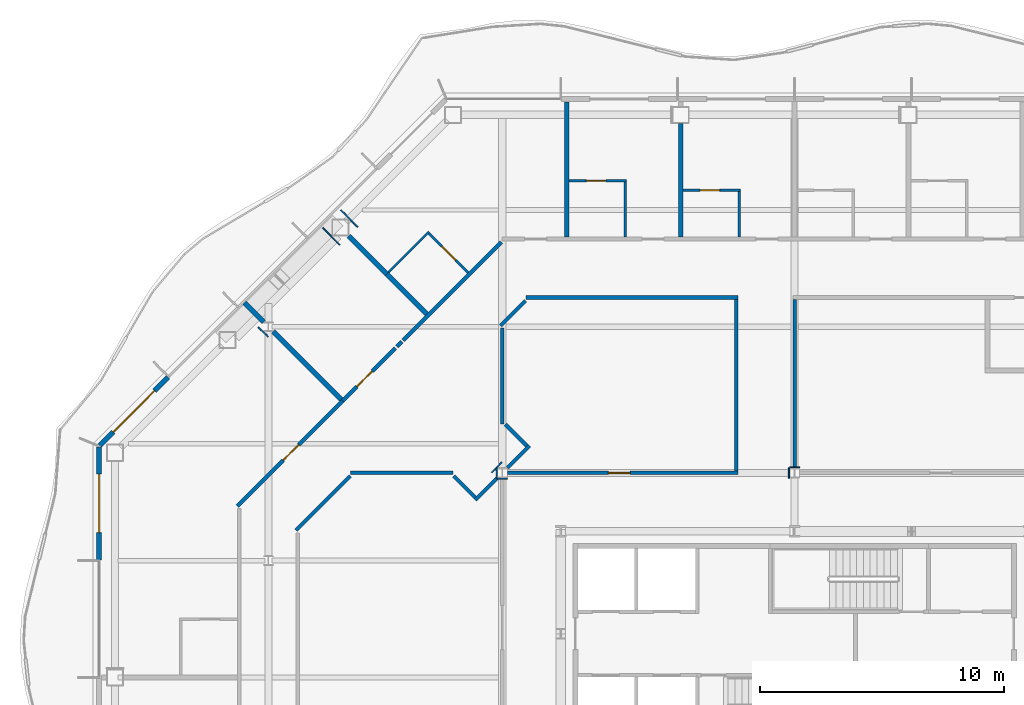
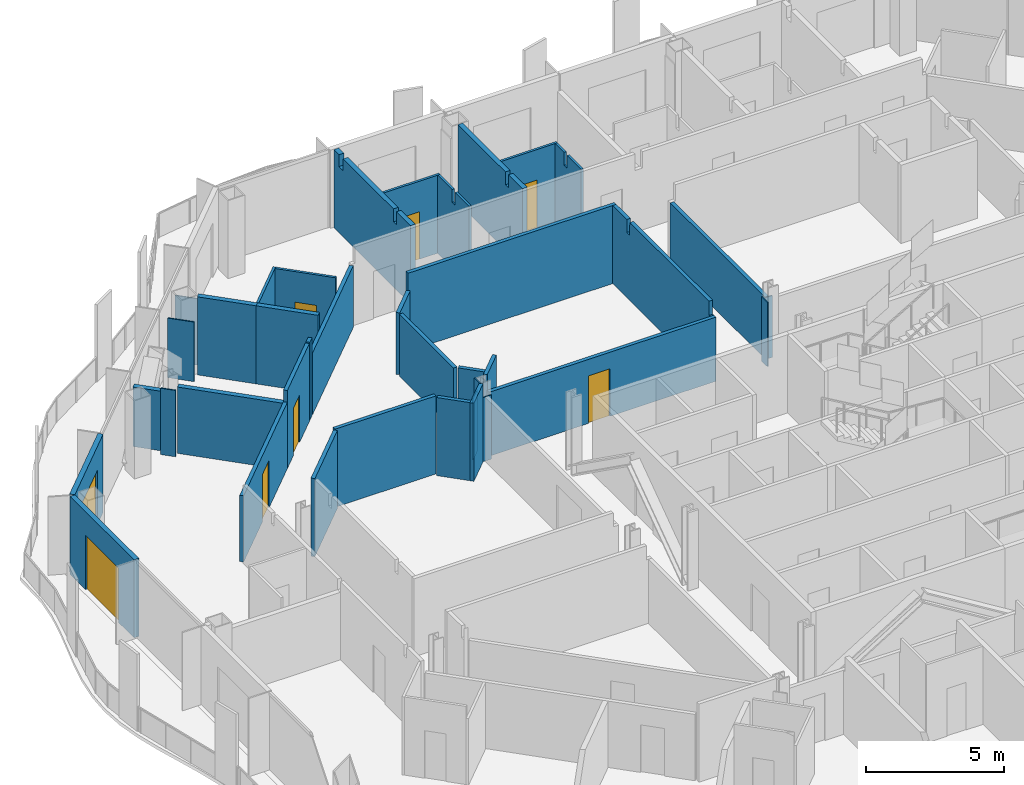
# One storey, part 12 of 21: 38 walls, 8 doors, 8 openings.
"""IFC4 building model written with IfcOpenShell, lengths in metres."""

from ifc_helpers import new_model, si_unit, direction, frame, frame_2d, origin, place, context, subcontext, project, spatial, polyline, rectangle, outline, extrude, material, layer, layer_set, type_object, element, fill, save


model = new_model("IFC4")

# Units and contexts
model_context = context("Model", 3, precision=1e-05, world=origin(), true_north=direction((0.0, 1.0)))
body_context = subcontext(model_context, "Body", "Model", "MODEL_VIEW")
ifc_project = project(units=[si_unit("LENGTHUNIT", "METRE"), si_unit("AREAUNIT", "SQUARE_METRE"), si_unit("VOLUMEUNIT", "CUBIC_METRE"), si_unit("PLANEANGLEUNIT", "RADIAN"), si_unit("MASSUNIT", "GRAM", prefix="KILO")], contexts=[model_context])

# Site, building, storey
site_placement = place(None, origin())
site = spatial("IfcSite", under=ifc_project, at=site_placement, CompositionType="ELEMENT")
building_placement = place(site_placement, origin())
building = spatial("IfcBuilding", under=site, at=building_placement, Name="Cairn Pilgrim Tower", CompositionType="ELEMENT")
storey_placement = place(building_placement, frame((0.0, 0.0, 136.199951171875)))
storey = spatial("IfcBuildingStorey", under=building, at=storey_placement, Name="L33", CompositionType="ELEMENT", Elevation=136.199951171875)

# Wall, opening, door
ifc_material_1 = material(Name="Bronze anodised aluminium insulated sandwich panel with mineral wool fill", Category="aluminium")
ifc_layer_1 = layer(ifc_material_1, 0.199951171875)
ifc_layer_set_1 = layer_set([ifc_layer_1], Name="BRONZE INFILL FRAME WALL 200")
wall_type_1 = type_object("IfcWallType", Name="BRONZE INFILL FRAME WALL 200", PredefinedType="NOTDEFINED", material=ifc_layer_set_1)
wall_1_placement = place(storey_placement, frame((-18.5205078125, 17.1259765625, 0.0), z_axis=(0.0, 0.0, 1.0), x_axis=(-0.707106781187, -0.707106781187, 0.0)))
wall_1 = element("IfcWall", 1, at=wall_1_placement, inside=storey, type_object=wall_type_1, Name="Bronze infill frame wall IW-NW5", PredefinedType="NOTDEFINED", context=body_context, shape_type="SweptSolid", body=[
    extrude(rectangle(XDim=3.961669921875, YDim=0.199951171875, at=frame_2d((1.98095703125, 0.0))), origin(), (0.0, 0.0, 1.0), 3.449951171875),
])
opening_1_placement = place(wall_1_placement, frame((0.785888671875, 0.0, 0.0)))
opening_1 = element("IfcOpeningElement", 2, at=opening_1_placement, cuts=wall_1, Name="Opening 3317B", PredefinedType="OPENING", context=body_context, shape_type="SweptSolid", body=[
    extrude(rectangle(XDim=2.39990234375, YDim=2.39990234375, at=frame_2d((1.199951171875, 1.199951171875))), frame((0.0, 0.10986328125, 0.0), z_axis=(0.0, -1.0, 0.0), x_axis=(1.0, 0.0, 0.0)), (0.0, 0.0, 1.0), 0.219970703125),
])
ifc_material_2 = material(Name="Bronze anodised aluminium frame with tinted low-E glass", Category="aluminium")
door_type_1 = type_object("IfcDoorType", Name="BALCONY SLIDING DOOR 2400x2400", OperationType="DOUBLE_DOOR_SLIDING", PredefinedType="DOOR", material=ifc_material_2)
door_1_placement = place(opening_1_placement, origin())
door_1 = element("IfcDoor", 3, at=door_1_placement, inside=storey, type_object=door_type_1, Name="Balcony sliding door 3317B", OperationType="SINGLE_SWING_LEFT", OverallHeight=2.39990234375, OverallWidth=2.39990234375, PredefinedType="DOOR", context=body_context, shape_type="SweptSolid", body=[
    extrude(rectangle(XDim=2.39990234375, YDim=2.39990234375, at=frame_2d((1.199951171875, 1.199951171875))), frame((0.0, 0.02490234375, 0.0), z_axis=(0.0, -1.0, 0.0), x_axis=(1.0, 0.0, 0.0)), (0.0, 0.0, 1.0), 0.050048828125),
])
fill(opening_1, door_1)

wall_2_placement = place(storey_placement, frame((-21.35009765625, 14.25634765625, 0.0), z_axis=(0.0, 0.0, 1.0), x_axis=(0.0, -1.0, 0.0)))
wall_2 = element("IfcWall", 4, at=wall_2_placement, inside=storey, type_object=wall_type_1, Name="Bronze infill frame wall IW-W1", PredefinedType="NOTDEFINED", context=body_context, shape_type="SweptSolid", body=[
    extrude(rectangle(XDim=4.62646484375, YDim=0.199951171875, at=frame_2d((2.313232421875, 0.0))), origin(), (0.0, 0.0, 1.0), 3.449951171875),
])
opening_2_placement = place(wall_2_placement, frame((1.1083984375, 0.0, 0.0)))
opening_2 = element("IfcOpeningElement", 5, at=opening_2_placement, cuts=wall_2, Name="Opening 3317B2", PredefinedType="OPENING", context=body_context, shape_type="SweptSolid", body=[
    extrude(rectangle(XDim=2.39990234375, YDim=2.39990234375, at=frame_2d((1.199951171875, 1.199951171875))), frame((0.0, 0.10986328125, 0.0), z_axis=(0.0, -1.0, 0.0), x_axis=(1.0, 0.0, 0.0)), (0.0, 0.0, 1.0), 0.219970703125),
])
door_2_placement = place(opening_2_placement, origin())
door_2 = element("IfcDoor", 6, at=door_2_placement, inside=storey, type_object=door_type_1, Name="Balcony sliding door 3317B2", OperationType="SINGLE_SWING_LEFT", OverallHeight=2.39990234375, OverallWidth=2.39990234375, PredefinedType="DOOR", context=body_context, shape_type="SweptSolid", body=[
    extrude(rectangle(XDim=2.39990234375, YDim=2.39990234375, at=frame_2d((1.199951171875, 1.199951171875))), frame((0.0, 0.02490234375, 0.0), z_axis=(0.0, -1.0, 0.0), x_axis=(1.0, 0.0, 0.0)), (0.0, 0.0, 1.0), 0.050048828125),
])
fill(opening_2, door_2)

# Wall
ifc_material_3 = material(Name="Gypsum partition")
ifc_layer_2 = layer(ifc_material_3, 0.10009765625)
ifc_layer_set_2 = layer_set([ifc_layer_2], Name="PARTITION 100 DRYWALL")
wall_type_2 = type_object("IfcWallType", Name="PARTITION 100 DRYWALL", PredefinedType="PARTITIONING", material=ifc_layer_set_2)
wall_3_placement = place(storey_placement, frame((-9.47119140625, 21.437744140625, 0.0), z_axis=(0.0, 0.0, 1.0), x_axis=(0.707054828152, 0.707158730404, 0.0)))
element("IfcWall", 7, at=wall_3_placement, inside=storey, type_object=wall_type_2, Name="PARTITION W112", PredefinedType="PARTITIONING", context=body_context, shape_type="SweptSolid", body=[
    extrude(rectangle(XDim=2.349609375, YDim=0.10009765625, at=frame_2d((1.1748046875, 0.0))), origin(), (0.0, 0.0, 1.0), 3.449951171875),
])

# Wall, opening, door
wall_4_placement = place(storey_placement, frame((-6.200927734375, 21.419921875, 0.0), z_axis=(0.0, 0.0, 1.0), x_axis=(-0.707106781187, 0.707106781187, 0.0)))
wall_4 = element("IfcWall", 8, at=wall_4_placement, inside=storey, type_object=wall_type_2, Name="PARTITION W113", PredefinedType="PARTITIONING", context=body_context, shape_type="SweptSolid", body=[
    extrude(rectangle(XDim=2.27490234375, YDim=0.10009765625, at=frame_2d((1.137451171875, 0.0))), origin(), (0.0, 0.0, 1.0), 3.449951171875),
])
opening_3_placement = place(wall_4_placement, frame((0.72509765625, 0.0, 0.0)))
opening_3 = element("IfcOpeningElement", 9, at=opening_3_placement, cuts=wall_4, Name="Opening 3315A", PredefinedType="OPENING", context=body_context, shape_type="SweptSolid", body=[
    extrude(rectangle(XDim=0.800048828125, YDim=2.10009765625, at=frame_2d((0.39990234375, 1.050048828125))), frame((0.0, 0.06005859375, 0.0), z_axis=(0.0, -1.0, 0.0), x_axis=(1.0, 0.0, 0.0)), (0.0, 0.0, 1.0), 0.1201171875),
])
ifc_material_4 = material(Name="Timber door leaf", Category="wood")
door_type_2 = type_object("IfcDoorType", Name="WC DOOR 800x2100", OperationType="NOTDEFINED", PredefinedType="DOOR", material=ifc_material_4)
door_3_placement = place(opening_3_placement, frame((0.800048828125, 0.0, 0.0), z_axis=(0.0, 0.0, 1.0), x_axis=(-1.0, 0.0, 0.0)))
door_3 = element("IfcDoor", 10, at=door_3_placement, inside=storey, type_object=door_type_2, Name="DOOR 3315A", OperationType="SINGLE_SWING_RIGHT", OverallHeight=2.10009765625, OverallWidth=0.800048828125, PredefinedType="DOOR", context=body_context, shape_type="SweptSolid", body=[
    extrude(rectangle(XDim=0.800048828125, YDim=2.10009765625, at=frame_2d((0.39990234375, 1.050048828125))), frame((0.0, 0.02490234375, 0.0), z_axis=(0.0, -1.0, 0.0), x_axis=(1.0, 0.0, 0.0)), (0.0, 0.0, 1.0), 0.050048828125),
])
fill(opening_3, door_3)

# Walls
wall_5_placement = place(storey_placement, frame((0.248046875, 22.875, 0.0), z_axis=(0.0, 0.0, 1.0), x_axis=(0.0, 1.0, 0.0)))
element("IfcWall", 11, at=wall_5_placement, inside=storey, type_object=wall_type_2, Name="PARTITION W117", PredefinedType="PARTITIONING", context=body_context, shape_type="SweptSolid", body=[
    extrude(outline(polyline([(0.0, 0.0), (2.27490234375, 0.0), (2.27490234375, 3.449951171875), (1.22998046875, 3.449951171875), (1.22802734375, 2.880126953125), (1.02001953125, 2.880126953125), (1.01806640625, 3.449951171875), (0.0, 3.449951171875), (0.0, 0.0)])), frame((0.0, 0.050048828125, 0.0), z_axis=(0.0, -1.0, 0.0), x_axis=(1.0, 0.0, 0.0)), (0.0, 0.0, 1.0), 0.10009765625),
])
wall_6_placement = place(storey_placement, frame((4.924072265625, 22.875, 0.0), z_axis=(0.0, 0.0, 1.0), x_axis=(0.0, 1.0, 0.0)))
element("IfcWall", 12, at=wall_6_placement, inside=storey, type_object=wall_type_2, Name="PARTITION W119", PredefinedType="PARTITIONING", context=body_context, shape_type="SweptSolid", body=[
    extrude(outline(polyline([(0.0, 0.0), (1.875, 0.0), (1.875, 3.449951171875), (1.22998046875, 3.449951171875), (1.22802734375, 2.880126953125), (1.02001953125, 2.880126953125), (1.01806640625, 3.449951171875), (0.0, 3.449951171875), (0.0, 0.0)])), frame((0.0, 0.050048828125, 0.0), z_axis=(0.0, -1.0, 0.0), x_axis=(1.0, 0.0, 0.0)), (0.0, 0.0, 1.0), 0.10009765625),
])

# Wall, opening, door
wall_7_placement = place(storey_placement, frame((2.6240234375, 24.800048828125, 0.0), z_axis=(0.0, 0.0, 1.0), x_axis=(1.0, 0.0, 0.0)))
wall_7 = element("IfcWall", 13, at=wall_7_placement, inside=storey, type_object=wall_type_2, Name="PARTITION W126", PredefinedType="PARTITIONING", context=body_context, shape_type="SweptSolid", body=[
    extrude(rectangle(XDim=2.35009765625, YDim=0.10009765625, at=frame_2d((1.175048828125, 0.0))), origin(), (0.0, 0.0, 1.0), 3.449951171875),
])
opening_4_placement = place(wall_7_placement, frame((0.699951171875, 0.0, 0.0)))
opening_4 = element("IfcOpeningElement", 14, at=opening_4_placement, cuts=wall_7, Name="Opening 3313A", PredefinedType="OPENING", context=body_context, shape_type="SweptSolid", body=[
    extrude(rectangle(XDim=0.800048828125, YDim=2.10009765625, at=frame_2d((0.39990234375, 1.050048828125))), frame((0.0, 0.06005859375, 0.0), z_axis=(0.0, -1.0, 0.0), x_axis=(1.0, 0.0, 0.0)), (0.0, 0.0, 1.0), 0.1201171875),
])
door_4_placement = place(opening_4_placement, origin())
door_4 = element("IfcDoor", 15, at=door_4_placement, inside=storey, type_object=door_type_2, Name="DOOR 3313A", OperationType="SINGLE_SWING_RIGHT", OverallHeight=2.10009765625, OverallWidth=0.800048828125, PredefinedType="DOOR", context=body_context, shape_type="SweptSolid", body=[
    extrude(rectangle(XDim=0.800048828125, YDim=2.10009765625, at=frame_2d((0.39990234375, 1.050048828125))), frame((0.0, 0.02490234375, 0.0), z_axis=(0.0, -1.0, 0.0), x_axis=(1.0, 0.0, 0.0)), (0.0, 0.0, 1.0), 0.050048828125),
])
fill(opening_4, door_4)

wall_8_placement = place(storey_placement, frame((-2.052001953125, 25.199951171875, 0.0), z_axis=(0.0, 0.0, 1.0), x_axis=(1.0, 0.0, 0.0)))
wall_8 = element("IfcWall", 16, at=wall_8_placement, inside=storey, type_object=wall_type_2, Name="PARTITION W128", PredefinedType="PARTITIONING", context=body_context, shape_type="SweptSolid", body=[
    extrude(rectangle(XDim=2.35009765625, YDim=0.10009765625, at=frame_2d((1.175048828125, 0.0))), origin(), (0.0, 0.0, 1.0), 3.449951171875),
])
opening_5_placement = place(wall_8_placement, frame((0.699951171875, 0.0, 0.0)))
opening_5 = element("IfcOpeningElement", 17, at=opening_5_placement, cuts=wall_8, Name="Opening 3314A", PredefinedType="OPENING", context=body_context, shape_type="SweptSolid", body=[
    extrude(rectangle(XDim=0.800048828125, YDim=2.10009765625, at=frame_2d((0.39990234375, 1.050048828125))), frame((0.0, 0.06005859375, 0.0), z_axis=(0.0, -1.0, 0.0), x_axis=(1.0, 0.0, 0.0)), (0.0, 0.0, 1.0), 0.1201171875),
])
door_5_placement = place(opening_5_placement, origin())
door_5 = element("IfcDoor", 18, at=door_5_placement, inside=storey, type_object=door_type_2, Name="DOOR 3314A", OperationType="SINGLE_SWING_RIGHT", OverallHeight=2.10009765625, OverallWidth=0.800048828125, PredefinedType="DOOR", context=body_context, shape_type="SweptSolid", body=[
    extrude(rectangle(XDim=0.800048828125, YDim=2.10009765625, at=frame_2d((0.39990234375, 1.050048828125))), frame((0.0, 0.02490234375, 0.0), z_axis=(0.0, -1.0, 0.0), x_axis=(1.0, 0.0, 0.0)), (0.0, 0.0, 1.0), 0.050048828125),
])
fill(opening_5, door_5)

# Wall
ifc_layer_3 = layer(ifc_material_3, 0.14990234375)
ifc_layer_set_3 = layer_set([ifc_layer_3], Name="PARTITION 150 DRYWALL EI 60")
wall_type_3 = type_object("IfcWallType", Name="PARTITION 150 DRYWALL EI 60", PredefinedType="PARTITIONING", material=ifc_layer_set_3)
wall_9_placement = place(storey_placement, frame((-13.27490234375, 10.845947265625, 0.0), z_axis=(0.0, 0.0, 1.0), x_axis=(0.707068002674, 0.707145557572, 0.0)))
element("IfcWall", 19, at=wall_9_placement, inside=storey, type_object=wall_type_3, Name="PARTITION W069", PredefinedType="PARTITIONING", context=body_context, shape_type="SweptSolid", body=[
    extrude(rectangle(XDim=3.14794921875, YDim=0.14990234375, at=frame_2d((1.573974609375, 0.0))), origin(), (0.0, 0.0, 1.0), 3.449951171875),
])

# Wall, opening, door
wall_10_placement = place(storey_placement, frame((-15.675048828125, 11.840087890625, 0.0), z_axis=(0.0, 0.0, 1.0), x_axis=(0.707206735496, 0.707006812746, 0.0)))
wall_10 = element("IfcWall", 20, at=wall_10_placement, inside=storey, type_object=wall_type_3, Name="PARTITION W071", PredefinedType="PARTITIONING", context=body_context, shape_type="SweptSolid", body=[
    extrude(rectangle(XDim=6.10595703125, YDim=0.14990234375, at=frame_2d((3.052978515625, 0.0))), origin(), (0.0, 0.0, 1.0), 2.929931640625),
])
opening_6_placement = place(wall_10_placement, frame((2.656005859375, 0.0, 0.0)))
opening_6 = element("IfcOpeningElement", 21, at=opening_6_placement, cuts=wall_10, Name="Opening 3317", PredefinedType="OPENING", context=body_context, shape_type="SweptSolid", body=[
    extrude(rectangle(XDim=0.89990234375, YDim=2.10009765625, at=frame_2d((0.449951171875, 1.050048828125))), frame((0.0, 0.0849609375, 0.0), z_axis=(0.0, -1.0, 0.0), x_axis=(1.0, 0.0, 0.0)), (0.0, 0.0, 1.0), 0.169921875),
])
door_type_3 = type_object("IfcDoorType", Name="ROOM DOOR 900x2100 FD30S", OperationType="NOTDEFINED", PredefinedType="DOOR", material=ifc_material_4)
door_6_placement = place(opening_6_placement, origin())
door_6 = element("IfcDoor", 22, at=door_6_placement, inside=storey, type_object=door_type_3, Name="DOOR 3317", OperationType="SINGLE_SWING_RIGHT", OverallHeight=2.10009765625, OverallWidth=0.89990234375, PredefinedType="DOOR", context=body_context, shape_type="SweptSolid", body=[
    extrude(rectangle(XDim=0.89990234375, YDim=2.10009765625, at=frame_2d((0.449951171875, 1.050048828125))), frame((0.0, 0.02490234375, 0.0), z_axis=(0.0, -1.0, 0.0), x_axis=(1.0, 0.0, 0.0)), (0.0, 0.0, 1.0), 0.050048828125),
])
fill(opening_6, door_6)

# Walls
wall_11_placement = place(storey_placement, frame((-5.9140625, 12.0859375, 0.0), z_axis=(0.0, 0.0, 1.0), x_axis=(0.707106781187, 0.707106781187, 0.0)))
element("IfcWall", 23, at=wall_11_placement, inside=storey, type_object=wall_type_3, Name="PARTITION W073", PredefinedType="PARTITIONING", context=body_context, shape_type="SweptSolid", body=[
    extrude(rectangle(XDim=1.280517578125, YDim=0.14990234375, at=frame_2d((0.64013671875, 0.0))), origin(), (0.0, 0.0, 1.0), 3.449951171875),
])
wall_12_placement = place(storey_placement, frame((-5.9140625, 12.192138671875, 0.0), z_axis=(0.0, 0.0, 1.0), x_axis=(-0.706812296552, 0.70740114323, 0.0)))
element("IfcWall", 24, at=wall_12_placement, inside=storey, type_object=wall_type_3, Name="PARTITION W075", PredefinedType="PARTITIONING", context=body_context, shape_type="SweptSolid", body=[
    extrude(rectangle(XDim=1.243896484375, YDim=0.14990234375, at=frame_2d((0.6220703125, 0.0))), origin(), (0.0, 0.0, 1.0), 3.449951171875),
])
wall_13_placement = place(storey_placement, frame((-11.027099609375, 13.199951171875, 0.0), z_axis=(0.0, 0.0, 1.0), x_axis=(1.0, 0.0, 0.0)))
element("IfcWall", 25, at=wall_13_placement, inside=storey, type_object=wall_type_3, Name="PARTITION W077", PredefinedType="PARTITIONING", context=body_context, shape_type="SweptSolid", body=[
    extrude(rectangle(XDim=4.2119140625, YDim=0.14990234375, at=frame_2d((2.10595703125, 0.0))), origin(), (0.0, 0.0, 1.0), 3.449951171875),
])

# Wall, opening, door
wall_14_placement = place(storey_placement, frame((-4.595458984375, 13.199951171875, 0.0), z_axis=(0.0, 0.0, 1.0), x_axis=(1.0, 0.0, 0.0)))
wall_14 = element("IfcWall", 26, at=wall_14_placement, inside=storey, type_object=wall_type_3, Name="PARTITION W078", PredefinedType="PARTITIONING", context=body_context, shape_type="SweptSolid", body=[
    extrude(rectangle(XDim=9.470458984375, YDim=0.14990234375, at=frame_2d((4.7353515625, 0.0))), origin(), (0.0, 0.0, 1.0), 2.830078125),
])
opening_7_placement = place(wall_14_placement, frame((4.1455078125, 0.0, 0.0)))
opening_7 = element("IfcOpeningElement", 27, at=opening_7_placement, cuts=wall_14, Name="Opening 3328", PredefinedType="OPENING", context=body_context, shape_type="SweptSolid", body=[
    extrude(rectangle(XDim=0.89990234375, YDim=2.10009765625, at=frame_2d((0.449951171875, 1.050048828125))), frame((0.0, 0.0849609375, 0.0), z_axis=(0.0, -1.0, 0.0), x_axis=(1.0, 0.0, 0.0)), (0.0, 0.0, 1.0), 0.169921875),
])
door_type_4 = type_object("IfcDoorType", Name="SERVICE DOOR 900x2100 FD30S", OperationType="NOTDEFINED", PredefinedType="DOOR", material=ifc_material_4)
door_7_placement = place(opening_7_placement, origin())
door_7 = element("IfcDoor", 28, at=door_7_placement, inside=storey, type_object=door_type_4, Name="DOOR 3328", OperationType="SINGLE_SWING_LEFT", OverallHeight=2.10009765625, OverallWidth=0.89990234375, PredefinedType="DOOR", context=body_context, shape_type="SweptSolid", body=[
    extrude(rectangle(XDim=0.89990234375, YDim=2.10009765625, at=frame_2d((0.449951171875, 1.050048828125))), frame((0.0, 0.02490234375, 0.0), z_axis=(0.0, -1.0, 0.0), x_axis=(1.0, 0.0, 0.0)), (0.0, 0.0, 1.0), 0.050048828125),
])
fill(opening_7, door_7)

# Walls
wall_15_placement = place(storey_placement, frame((4.800048828125, 13.27490234375, 0.0), z_axis=(0.0, 0.0, 1.0), x_axis=(0.0, 1.0, 0.0)))
element("IfcWall", 29, at=wall_15_placement, inside=storey, type_object=wall_type_3, Name="PARTITION W081", PredefinedType="PARTITIONING", context=body_context, shape_type="SweptSolid", body=[
    extrude(outline(polyline([(0.0, 0.0), (7.050048828125, 0.0), (7.050048828125, 3.449951171875), (6.030029296875, 3.449951171875), (6.028076171875, 2.880126953125), (5.820068359375, 2.880126953125), (5.818115234375, 3.449951171875), (0.074951171875, 3.449951171875), (0.072998046875, 2.830078125), (0.0, 2.830078125), (0.0, 0.0)])), frame((0.0, 0.074951171875, 0.0), z_axis=(0.0, -1.0, 0.0), x_axis=(1.0, 0.0, 0.0)), (0.0, 0.0, 1.0), 0.14990234375),
])
wall_16_placement = place(storey_placement, frame((-4.591552734375, 13.408447265625, 0.0), z_axis=(0.0, 0.0, 1.0), x_axis=(0.707106781187, 0.707106781187, 0.0)))
element("IfcWall", 30, at=wall_16_placement, inside=storey, type_object=wall_type_3, Name="PARTITION W083", PredefinedType="PARTITIONING", context=body_context, shape_type="SweptSolid", body=[
    extrude(rectangle(XDim=1.281005859375, YDim=0.14990234375, at=frame_2d((0.640625, 0.0))), origin(), (0.0, 0.0, 1.0), 3.449951171875),
])
wall_17_placement = place(storey_placement, frame((7.199951171875, 13.41259765625, 0.0), z_axis=(0.0, 0.0, 1.0), x_axis=(0.0, 1.0, 0.0)))
element("IfcWall", 31, at=wall_17_placement, inside=storey, type_object=wall_type_3, Name="PARTITION W084", PredefinedType="PARTITIONING", context=body_context, shape_type="SweptSolid", body=[
    extrude(rectangle(XDim=6.912353515625, YDim=0.14990234375, at=frame_2d((3.4560546875, 0.0))), origin(), (0.0, 0.0, 1.0), 2.72998046875),
])
wall_18_placement = place(storey_placement, frame((-3.7919921875, 14.31396484375, 0.0), z_axis=(0.0, 0.0, 1.0), x_axis=(-0.707499182195, 0.706714162298, 0.0)))
element("IfcWall", 32, at=wall_18_placement, inside=storey, type_object=wall_type_3, Name="PARTITION W088", PredefinedType="PARTITIONING", context=body_context, shape_type="SweptSolid", body=[
    extrude(rectangle(XDim=1.243896484375, YDim=0.14990234375, at=frame_2d((0.6220703125, 0.0))), origin(), (0.0, 0.0, 1.0), 2.72998046875),
])
wall_19_placement = place(storey_placement, frame((-4.800048828125, 15.215087890625, 0.0), z_axis=(0.0, 0.0, 1.0), x_axis=(0.0, 1.0, 0.0)))
element("IfcWall", 33, at=wall_19_placement, inside=storey, type_object=wall_type_3, Name="PARTITION W092", PredefinedType="PARTITIONING", context=body_context, shape_type="SweptSolid", body=[
    extrude(rectangle(XDim=3.9248046875, YDim=0.14990234375, at=frame_2d((1.96240234375, 0.0))), origin(), (0.0, 0.0, 1.0), 2.72998046875),
])

# Wall, opening, door
wall_20_placement = place(storey_placement, frame((-11.35693359375, 16.156982421875, 0.0), z_axis=(0.0, 0.0, 1.0), x_axis=(0.707106781187, 0.707106781187, 0.0)))
wall_20 = element("IfcWall", 34, at=wall_20_placement, inside=storey, type_object=wall_type_3, Name="PARTITION W094", PredefinedType="PARTITIONING", context=body_context, shape_type="SweptSolid", body=[
    extrude(rectangle(XDim=3.070556640625, YDim=0.14990234375, at=frame_2d((1.53515625, 0.0))), origin(), (0.0, 0.0, 1.0), 3.449951171875),
])
opening_8_placement = place(wall_20_placement, frame((0.822998046875, 0.0, 0.0)))
opening_8 = element("IfcOpeningElement", 35, at=opening_8_placement, cuts=wall_20, Name="Opening 3316", PredefinedType="OPENING", context=body_context, shape_type="SweptSolid", body=[
    extrude(rectangle(XDim=0.89990234375, YDim=2.10009765625, at=frame_2d((0.449951171875, 1.050048828125))), frame((0.0, 0.0849609375, 0.0), z_axis=(0.0, -1.0, 0.0), x_axis=(1.0, 0.0, 0.0)), (0.0, 0.0, 1.0), 0.169921875),
])
door_8_placement = place(opening_8_placement, origin())
door_8 = element("IfcDoor", 36, at=door_8_placement, inside=storey, type_object=door_type_4, Name="DOOR 3316", OperationType="SINGLE_SWING_RIGHT", OverallHeight=2.10009765625, OverallWidth=0.89990234375, PredefinedType="DOOR", context=body_context, shape_type="SweptSolid", body=[
    extrude(rectangle(XDim=0.89990234375, YDim=2.10009765625, at=frame_2d((0.449951171875, 1.050048828125))), frame((0.0, 0.02490234375, 0.0), z_axis=(0.0, -1.0, 0.0), x_axis=(1.0, 0.0, 0.0)), (0.0, 0.0, 1.0), 0.050048828125),
])
fill(opening_8, door_8)

# Walls
wall_21_placement = place(storey_placement, frame((-9.1328125, 18.381591796875, 0.0), z_axis=(0.0, 0.0, 1.0), x_axis=(0.707106781187, 0.707106781187, 0.0)))
element("IfcWall", 37, at=wall_21_placement, inside=storey, type_object=wall_type_3, Name="PARTITION W100", PredefinedType="PARTITIONING", context=body_context, shape_type="SweptSolid", body=[
    extrude(rectangle(XDim=0.2998046875, YDim=0.14990234375, at=frame_2d((0.14990234375, 0.0))), origin(), (0.0, 0.0, 1.0), 3.449951171875),
])
wall_22_placement = place(storey_placement, frame((-8.8681640625, 18.646728515625, 0.0), z_axis=(0.0, 0.0, 1.0), x_axis=(0.707085337138, 0.707128224585, 0.0)))
element("IfcWall", 38, at=wall_22_placement, inside=storey, type_object=wall_type_3, Name="PARTITION W101", PredefinedType="PARTITIONING", context=body_context, shape_type="SweptSolid", body=[
    extrude(rectangle(XDim=5.692626953125, YDim=0.14990234375, at=frame_2d((2.84619140625, 0.0))), origin(), (0.0, 0.0, 1.0), 2.72998046875),
])
wall_23_placement = place(storey_placement, frame((-4.875, 19.24609375, 0.0), z_axis=(0.0, 0.0, 1.0), x_axis=(0.707106781187, 0.707106781187, 0.0)))
element("IfcWall", 39, at=wall_23_placement, inside=storey, type_object=wall_type_3, Name="PARTITION W102", PredefinedType="PARTITIONING", context=body_context, shape_type="SweptSolid", body=[
    extrude(rectangle(XDim=1.450927734375, YDim=0.14990234375, at=frame_2d((0.7255859375, 0.0))), origin(), (0.0, 0.0, 1.0), 2.72998046875),
])
wall_24_placement = place(storey_placement, frame((-3.8271484375, 20.39990234375, 0.0), z_axis=(0.0, 0.0, 1.0), x_axis=(1.0, 0.0, 0.0)))
element("IfcWall", 40, at=wall_24_placement, inside=storey, type_object=wall_type_3, Name="PARTITION W108", PredefinedType="PARTITIONING", context=body_context, shape_type="SweptSolid", body=[
    extrude(rectangle(XDim=8.7021484375, YDim=0.14990234375, at=frame_2d((4.35107421875, 0.0))), origin(), (0.0, 0.0, 1.0), 3.449951171875),
])
ifc_layer_4 = layer(ifc_material_3, 0.050048828125)
ifc_layer_set_4 = layer_set([ifc_layer_4], Name="PARTITION 50 DRYWALL EI 60")
wall_type_4 = type_object("IfcWallType", Name="PARTITION 50 DRYWALL EI 60", PredefinedType="PARTITIONING", material=ifc_layer_set_4)
wall_25_placement = place(storey_placement, frame((-5.029541015625, 12.987548828125, 0.0), z_axis=(0.0, 0.0, 1.0), x_axis=(0.0, 1.0, 0.0)))
element("IfcWall", 41, at=wall_25_placement, inside=storey, type_object=wall_type_4, Name="COLUMN CASING WC19", PredefinedType="PARTITIONING", context=body_context, shape_type="SweptSolid", body=[
    extrude(rectangle(XDim=0.425048828125, YDim=0.050048828125, at=frame_2d((0.21240234375, 0.0))), origin(), (0.0, 0.0, 1.0), 3.449951171875),
])
wall_26_placement = place(storey_placement, frame((-5.234619140625, 13.2177734375, 0.0), z_axis=(0.0, 0.0, 1.0), x_axis=(0.707106781187, 0.707106781187, 0.0)))
element("IfcWall", 42, at=wall_26_placement, inside=storey, type_object=wall_type_4, Name="COLUMN CASING WC24", PredefinedType="PARTITIONING", context=body_context, shape_type="SweptSolid", body=[
    extrude(rectangle(XDim=0.589599609375, YDim=0.050048828125, at=frame_2d((0.294921875, 0.0))), origin(), (0.0, 0.0, 1.0), 2.72998046875),
])
wall_27_placement = place(storey_placement, frame((-5.00439453125, 12.96240234375, 0.0), z_axis=(0.0, 0.0, 1.0), x_axis=(1.0, 0.0, 0.0)))
element("IfcWall", 43, at=wall_27_placement, inside=storey, type_object=wall_type_4, Name="COLUMN CASING WC26", PredefinedType="PARTITIONING", context=body_context, shape_type="SweptSolid", body=[
    extrude(rectangle(XDim=0.408935546875, YDim=0.050048828125, at=frame_2d((0.20458984375, 0.0))), origin(), (0.0, 0.0, 1.0), 2.830078125),
])
wall_28_placement = place(storey_placement, frame((6.99560546875, 13.4375, 0.0), z_axis=(0.0, 0.0, 1.0), x_axis=(1.0, 0.0, 0.0)))
element("IfcWall", 44, at=wall_28_placement, inside=storey, type_object=wall_type_4, Name="COLUMN CASING WC27", PredefinedType="PARTITIONING", context=body_context, shape_type="SweptSolid", body=[
    extrude(rectangle(XDim=0.408935546875, YDim=0.050048828125, at=frame_2d((0.20458984375, 0.0))), origin(), (0.0, 0.0, 1.0), 2.72998046875),
])
wall_29_placement = place(storey_placement, frame((6.970458984375, 12.987548828125, 0.0), z_axis=(0.0, 0.0, 1.0), x_axis=(0.0, 1.0, 0.0)))
element("IfcWall", 45, at=wall_29_placement, inside=storey, type_object=wall_type_4, Name="COLUMN CASING WC29", PredefinedType="PARTITIONING", context=body_context, shape_type="SweptSolid", body=[
    extrude(rectangle(XDim=0.425048828125, YDim=0.050048828125, at=frame_2d((0.21240234375, 0.0))), origin(), (0.0, 0.0, 1.0), 2.830078125),
])
wall_30_placement = place(storey_placement, frame((-14.417724609375, 18.786376953125, 0.0), z_axis=(0.0, 0.0, 1.0), x_axis=(-0.707106781187, 0.707106781187, 0.0)))
element("IfcWall", 46, at=wall_30_placement, inside=storey, type_object=wall_type_4, Name="COLUMN CASING WC30", PredefinedType="PARTITIONING", context=body_context, shape_type="SweptSolid", body=[
    extrude(rectangle(XDim=0.56005859375, YDim=0.050048828125, at=frame_2d((0.280029296875, 0.0))), origin(), (0.0, 0.0, 1.0), 2.929931640625),
])
wall_31_placement = place(storey_placement, frame((-11.468994140625, 22.55810546875, 0.0), z_axis=(0.0, 0.0, 1.0), x_axis=(-0.707353374636, 0.706860101711, 0.0)))
element("IfcWall", 47, at=wall_31_placement, inside=storey, type_object=wall_type_4, Name="COLUMN CASING WC35", PredefinedType="PARTITIONING", context=body_context, shape_type="SweptSolid", body=[
    extrude(rectangle(XDim=0.989990234375, YDim=0.050048828125, at=frame_2d((0.4951171875, 0.0))), origin(), (0.0, 0.0, 1.0), 2.630126953125),
])
wall_32_placement = place(storey_placement, frame((-10.73388671875, 23.29345703125, 0.0), z_axis=(0.0, 0.0, 1.0), x_axis=(-0.707230067171, 0.706983473703, 0.0)))
element("IfcWall", 48, at=wall_32_placement, inside=storey, type_object=wall_type_4, Name="COLUMN CASING WC36", PredefinedType="PARTITIONING", context=body_context, shape_type="SweptSolid", body=[
    extrude(rectangle(XDim=0.989990234375, YDim=0.050048828125, at=frame_2d((0.4951171875, 0.0))), origin(), (0.0, 0.0, 1.0), 2.929931640625),
])
ifc_layer_5 = layer(ifc_material_3, 0.199951171875)
ifc_layer_set_5 = layer_set([ifc_layer_5], Name="SHAFT WALL 200 GYPSUM EI 60")
wall_type_5 = type_object("IfcWallType", Name="SHAFT WALL 200 GYPSUM EI 60", PredefinedType="PARTITIONING", material=ifc_layer_set_5)
wall_33_placement = place(storey_placement, frame((-11.409912109375, 16.2099609375, 0.0), z_axis=(0.0, 0.0, 1.0), x_axis=(-0.707106781187, 0.707106781187, 0.0)))
element("IfcWall", 49, at=wall_33_placement, inside=storey, type_object=wall_type_5, Name="PARTITION W095", PredefinedType="PARTITIONING", context=body_context, shape_type="SweptSolid", body=[
    extrude(rectangle(XDim=3.948486328125, YDim=0.199951171875, at=frame_2d((1.97412109375, 0.0))), origin(), (0.0, 0.0, 1.0), 2.929931640625),
])
wall_34_placement = place(storey_placement, frame((-14.597900390625, 19.39794921875, 0.0), z_axis=(0.0, 0.0, 1.0), x_axis=(-0.707106781187, 0.707106781187, 0.0)))
element("IfcWall", 50, at=wall_34_placement, inside=storey, type_object=wall_type_5, Name="PARTITION W103", PredefinedType="PARTITIONING", context=body_context, shape_type="SweptSolid", body=[
    extrude(rectangle(XDim=1.107177734375, YDim=0.199951171875, at=frame_2d((0.5537109375, 0.0))), origin(), (0.0, 0.0, 1.0), 2.630126953125),
])
wall_35_placement = place(storey_placement, frame((-7.89794921875, 19.722900390625, 0.0), z_axis=(0.0, 0.0, 1.0), x_axis=(-0.707106781187, 0.707106781187, 0.0)))
element("IfcWall", 51, at=wall_35_placement, inside=storey, type_object=wall_type_5, Name="PARTITION W105", PredefinedType="PARTITIONING", context=body_context, shape_type="SweptSolid", body=[
    extrude(rectangle(XDim=2.324951171875, YDim=0.199951171875, at=frame_2d((1.16259765625, 0.0))), origin(), (0.0, 0.0, 1.0), 3.449951171875),
])
wall_36_placement = place(storey_placement, frame((-9.5419921875, 21.366943359375, 0.0), z_axis=(0.0, 0.0, 1.0), x_axis=(-0.707217500167, 0.706996044867, 0.0)))
element("IfcWall", 52, at=wall_36_placement, inside=storey, type_object=wall_type_5, Name="PARTITION W111", PredefinedType="PARTITIONING", context=body_context, shape_type="SweptSolid", body=[
    extrude(rectangle(XDim=2.204833984375, YDim=0.199951171875, at=frame_2d((1.1025390625, 0.0))), origin(), (0.0, 0.0, 1.0), 3.449951171875),
])
wall_37_placement = place(storey_placement, frame((-2.152099609375, 22.875, 0.0), z_axis=(0.0, 0.0, 1.0), x_axis=(0.0, 1.0, 0.0)))
element("IfcWall", 53, at=wall_37_placement, inside=storey, type_object=wall_type_5, Name="PARTITION W116", PredefinedType="PARTITIONING", context=body_context, shape_type="SweptSolid", body=[
    extrude(outline(polyline([(0.0, 0.0), (5.544921875, 0.0), (5.544921875, 3.449951171875), (5.175048828125, 3.449951171875), (5.173095703125, 2.929931640625), (4.875, 2.929931640625), (4.873046875, 3.449951171875), (1.22998046875, 3.449951171875), (1.22802734375, 2.880126953125), (1.02001953125, 2.880126953125), (1.01806640625, 3.449951171875), (0.0, 3.449951171875), (0.0, 0.0)])), frame((0.0, 0.10009765625, 0.0), z_axis=(0.0, -1.0, 0.0), x_axis=(1.0, 0.0, 0.0)), (0.0, 0.0, 1.0), 0.199951171875),
])
wall_38_placement = place(storey_placement, frame((2.52392578125, 22.875, 0.0), z_axis=(0.0, 0.0, 1.0), x_axis=(0.0, 1.0, 0.0)))
element("IfcWall", 54, at=wall_38_placement, inside=storey, type_object=wall_type_5, Name="PARTITION W118", PredefinedType="PARTITIONING", context=body_context, shape_type="SweptSolid", body=[
    extrude(outline(polyline([(0.0, 0.0), (4.675048828125, 0.0), (4.675048828125, 3.449951171875), (1.22998046875, 3.449951171875), (1.22802734375, 2.880126953125), (1.02001953125, 2.880126953125), (1.01806640625, 3.449951171875), (0.0, 3.449951171875), (0.0, 0.0)])), frame((0.0, 0.10009765625, 0.0), z_axis=(0.0, -1.0, 0.0), x_axis=(1.0, 0.0, 0.0)), (0.0, 0.0, 1.0), 0.199951171875),
])

save(model, "model.ifc")
